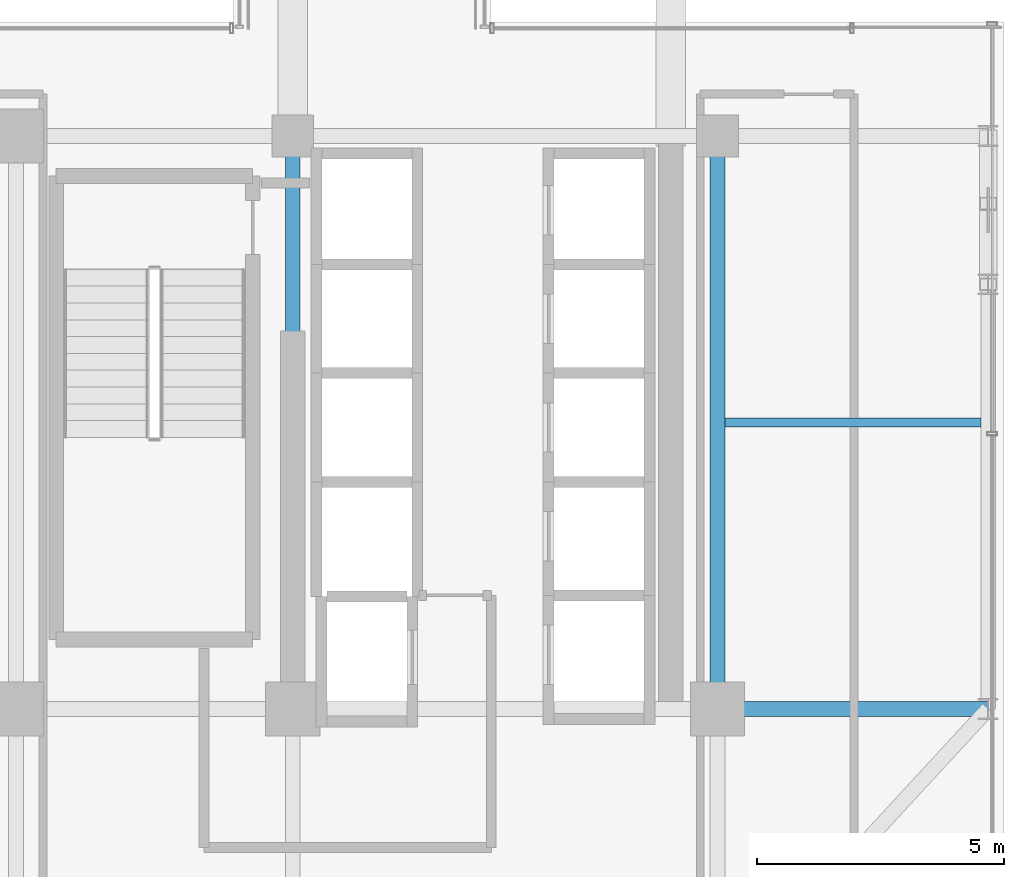
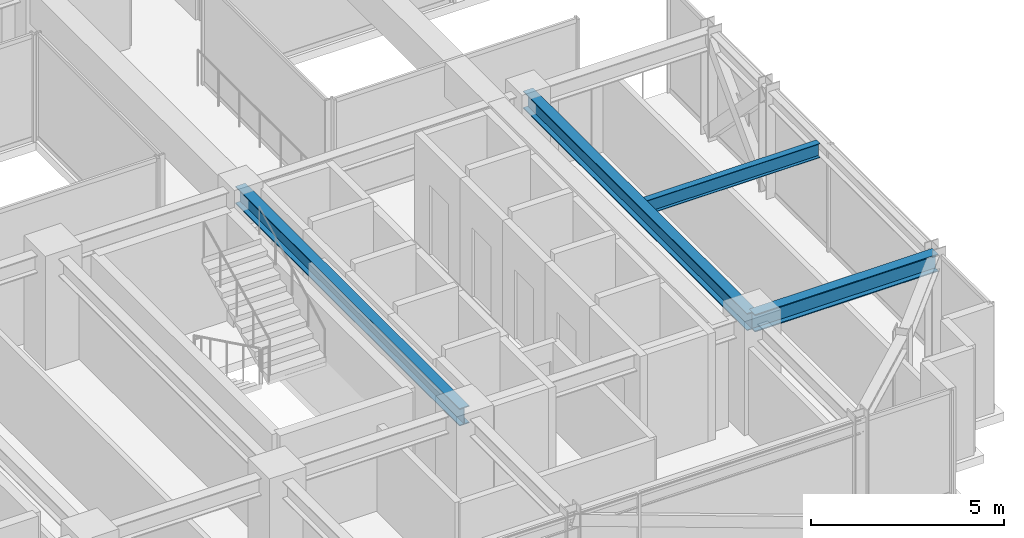
# One storey, part 13 of 36: 4 beams.
"""IFC4 building model written with IfcOpenShell, lengths in metres."""

import ifcopenshell
import ifcopenshell.guid

model = None  # the IFC model being written
_history = None  # IfcOwnerHistory: only IFC2X3 demands one
_inside = {}  # id of a spatial element -> (the spatial element, [elements in it])
_under = {}  # id of a project, library or spatial element -> (it, [spatial elements below it])
_declared = {}  # id of a project -> (the project, [libraries it declares])
_typed = {}  # id of a type object -> (the type object, [elements of that type])
_made_of = {}  # id of a material, layer set ... -> (it, [elements and type objects made of it])


def new_model(schema):
    """Start an empty IFC model of exactly this schema.

    Asked for "IFC4X3", IfcOpenShell would pick the latest addendum, in which some entities
    have other attributes; the version numbers below select the first issue.
    IFC2X3 requires an IfcOwnerHistory on every rooted entity: one is made here for all.
    """
    global model, _history
    if schema == "IFC4X3":
        model = ifcopenshell.file(schema_version=(4, 3, 0, 0))
    else:
        model = ifcopenshell.file(schema=schema)
    _inside.clear()
    _under.clear()
    _declared.clear()
    _typed.clear()
    _made_of.clear()
    _history = None
    if model.schema == "IFC2X3":
        org = make("IfcOrganization", Name="unknown")
        user = make(
            "IfcPersonAndOrganization",
            ThePerson=make("IfcPerson", FamilyName="unknown"),
            TheOrganization=org,
        )
        app = make(
            "IfcApplication",
            ApplicationDeveloper=org,
            Version="unknown",
            ApplicationFullName="unknown",
            ApplicationIdentifier="unknown",
        )
        _history = make(
            "IfcOwnerHistory",
            OwningUser=user,
            OwningApplication=app,
            ChangeAction="ADDED",
            CreationDate=0,
        )
    return model


def make(cls, **values):
    """One entity of the class cls with the attributes given. An attribute that is None is left unset."""
    return model.create_entity(
        cls, **{name: value for name, value in values.items() if value is not None}
    )


def rooted(cls, **values):
    """An entity with a GlobalId (a new one), such as an element, a storey or a relation."""
    return make(cls, GlobalId=ifcopenshell.guid.new(), OwnerHistory=_history, **values)


def si_unit(unit_type, name, prefix=None):
    """IfcSIUnit, for example si_unit("LENGTHUNIT", "METRE", prefix="MILLI")."""
    return make("IfcSIUnit", UnitType=unit_type, Prefix=prefix, Name=name)


def assignment(units):
    """IfcUnitAssignment: the units of a project."""
    return None if units is None else make("IfcUnitAssignment", Units=units)


def point(xyz):
    """IfcCartesianPoint."""
    return None if xyz is None else make("IfcCartesianPoint", Coordinates=xyz)


def direction(xyz):
    """IfcDirection."""
    return None if xyz is None else make("IfcDirection", DirectionRatios=xyz)


def frame(location, z_axis=None, x_axis=None):
    """IfcAxis2Placement3D, a coordinate frame: its origin and axes. An axis left out is left unset."""
    return make(
        "IfcAxis2Placement3D",
        Location=point(location),
        Axis=direction(z_axis),
        RefDirection=direction(x_axis),
    )


def frame_2d(location, x_axis=None):
    """IfcAxis2Placement2D, a coordinate frame in the plane: its origin and x axis."""
    return make(
        "IfcAxis2Placement2D", Location=point(location), RefDirection=direction(x_axis)
    )


def origin():
    """The frame at (0, 0, 0) with its axes left unset."""
    return frame((0.0, 0.0, 0.0))


def origin_2d():
    """The frame at (0, 0) in the plane with its x axis left unset."""
    return frame_2d((0.0, 0.0))


def place(relative_to, where):
    """IfcLocalPlacement: puts the frame where relative to a parent placement (None: the world)."""
    return make(
        "IfcLocalPlacement", PlacementRelTo=relative_to, RelativePlacement=where
    )


def context(
    kind, dimensions, precision=None, world=None, true_north=None, identifier=None
):
    """IfcGeometricRepresentationContext, for example the 3D "Model" context."""
    return make(
        "IfcGeometricRepresentationContext",
        ContextIdentifier=identifier,
        ContextType=kind,
        CoordinateSpaceDimension=dimensions,
        Precision=precision,
        WorldCoordinateSystem=world,
        TrueNorth=true_north,
    )


def subcontext(parent, identifier, kind, view, scale=None):
    """IfcGeometricRepresentationSubContext, for example "Body" below "Model"."""
    return make(
        "IfcGeometricRepresentationSubContext",
        ContextIdentifier=identifier,
        ContextType=kind,
        ParentContext=parent,
        TargetScale=scale,
        TargetView=view,
    )


def project(units=None, contexts=None):
    """IfcProject with its units and contexts."""
    return rooted(
        "IfcProject",
        Name="project",
        RepresentationContexts=contexts,
        UnitsInContext=assignment(units),
    )


def spatial(cls, under=None, at=None, **own):
    """A site, building, storey or space (cls), placed at a placement, below another one or the project."""
    s = rooted(cls, ObjectPlacement=at, **own)
    if under is not None:
        _under.setdefault(under.id(), (under, []))[1].append(s)
    return s


def profile(cls, at=None, kind="AREA", **sizes):
    """A parametric profile (cls). Its sizes go by their IFC names, for example OverallWidth=200.0."""
    return make(cls, ProfileType=kind, Position=at, **sizes)


def i_section(**sizes):
    """IfcIShapeProfileDef."""
    return profile("IfcIShapeProfileDef", **sizes)


def extrude(swept, where, along, depth):
    """IfcExtrudedAreaSolid: the profile swept, set in the frame where, extruded along a direction by depth."""
    return make(
        "IfcExtrudedAreaSolid",
        SweptArea=swept,
        Position=where,
        ExtrudedDirection=direction(along),
        Depth=depth,
    )


def shape(context_of_items, identifier, shape_type, items):
    """IfcShapeRepresentation: the items that make up one representation, for example the "Body"."""
    return make(
        "IfcShapeRepresentation",
        ContextOfItems=context_of_items,
        RepresentationIdentifier=identifier,
        RepresentationType=shape_type,
        Items=items,
    )


def source(mapping_origin, context_of_items, identifier, shape_type, items):
    """IfcRepresentationMap: a shape defined once, which mapped items show again and again."""
    return make(
        "IfcRepresentationMap",
        MappingOrigin=mapping_origin,
        MappedRepresentation=shape(context_of_items, identifier, shape_type, items),
    )


def transform(
    local_origin,
    x_axis=None,
    y_axis=None,
    z_axis=None,
    scale=None,
    scale2=None,
    scale3=None,
    uniform=True,
):
    """IfcCartesianTransformationOperator3D, or its non-uniform kind. x_axis, y_axis, z_axis: its Axis1, 2, 3."""
    if uniform:
        return make(
            "IfcCartesianTransformationOperator3D",
            Axis1=direction(x_axis),
            Axis2=direction(y_axis),
            LocalOrigin=point(local_origin),
            Scale=scale,
            Axis3=direction(z_axis),
        )
    return make(
        "IfcCartesianTransformationOperator3DnonUniform",
        Axis1=direction(x_axis),
        Axis2=direction(y_axis),
        LocalOrigin=point(local_origin),
        Scale=scale,
        Axis3=direction(z_axis),
        Scale2=scale2,
        Scale3=scale3,
    )


def mapped(mapping_source, mapping_target):
    """IfcMappedItem: shows the shape of a source again, moved by a transform."""
    return make(
        "IfcMappedItem", MappingSource=mapping_source, MappingTarget=mapping_target
    )


def material(Name=None, Category=None):
    """IfcMaterial."""
    return make("IfcMaterial", Name=Name, Category=Category)


def material_profile(
    of_material, cross_section, Name=None, Category=None, Priority=None
):
    """IfcMaterialProfile: a cross section and its material."""
    return make(
        "IfcMaterialProfile",
        Name=Name,
        Material=of_material,
        Profile=cross_section,
        Priority=Priority,
        Category=Category,
    )


def profile_set(profiles, Name=None, composite=None):
    """IfcMaterialProfileSet."""
    return make(
        "IfcMaterialProfileSet",
        Name=Name,
        MaterialProfiles=profiles,
        CompositeProfile=composite,
    )


def made_of(thing, what):
    """Note that an element or type object is made of a material, layer set ...; save() writes the relation."""
    if what is not None:
        _made_of.setdefault(what.id(), (what, []))[1].append(thing)
    return thing


def type_object(cls, material=None, **own):
    """A type object (cls), such as IfcWallType, which elements share."""
    return made_of(rooted(cls, **own), material)


def element(
    cls,
    number,
    at=None,
    inside=None,
    cuts=None,
    type_object=None,
    material=None,
    context=None,
    identifier="Body",
    shape_type=None,
    held_by="IfcProductDefinitionShape",
    body=None,
    shapes=None,
    **own,
):
    """One element of the class cls, such as IfcWall. Its Tag is "e" and its number.

    at: its placement. inside: the storey or other place that contains it. cuts: it is an
    opening in that element (IfcRelVoidsElement). A single representation is given by context,
    identifier, shape_type and body (its items); several are given by shapes. held_by: the class
    of the entity that holds the representations. save() writes the other relations.
    """
    e = rooted(cls, Tag="e%d" % number, ObjectPlacement=at, **own)
    if body is not None:
        shapes = [shape(context, identifier, shape_type, body)]
    if shapes is not None:
        e.Representation = make(held_by, Representations=shapes)
    if inside is not None:
        _inside.setdefault(inside.id(), (inside, []))[1].append(e)
    if cuts is not None:
        rooted(
            "IfcRelVoidsElement", RelatingBuildingElement=cuts, RelatedOpeningElement=e
        )
    if type_object is not None:
        _typed.setdefault(type_object.id(), (type_object, []))[1].append(e)
    return made_of(e, material)


def aggregate(whole, parts):
    """IfcRelAggregates: a whole, such as a stair, and the parts it consists of."""
    return rooted("IfcRelAggregates", RelatingObject=whole, RelatedObjects=parts)


def save(model, path):
    """Write the relations noted so far, then the file.

    IfcRelAggregates (storeys below a building ...), IfcRelContainedInSpatialStructure (elements
    in a storey), IfcRelDefinesByType, IfcRelAssociatesMaterial and IfcRelDeclares: one each for
    every whole, place, type object, material and project.
    """
    for whole, parts in _under.values():
        aggregate(whole, parts)
    for where, things in _inside.values():
        rooted(
            "IfcRelContainedInSpatialStructure",
            RelatedElements=things,
            RelatingStructure=where,
        )
    for kind, things in _typed.values():
        rooted("IfcRelDefinesByType", RelatedObjects=things, RelatingType=kind)
    for what, things in _made_of.values():
        rooted("IfcRelAssociatesMaterial", RelatedObjects=things, RelatingMaterial=what)
    for by, libraries in _declared.values():
        rooted("IfcRelDeclares", RelatingContext=by, RelatedDefinitions=libraries)
    model.write(path)


model = new_model("IFC4")

# Units and contexts
model_context = context("Model", 3, precision=1e-05, world=origin(), true_north=direction((0.0, 1.0)))
body_context = subcontext(model_context, "Body", "Model", "MODEL_VIEW")
ifc_project = project(units=[si_unit("LENGTHUNIT", "METRE"), si_unit("AREAUNIT", "SQUARE_METRE"), si_unit("VOLUMEUNIT", "CUBIC_METRE"), si_unit("PLANEANGLEUNIT", "RADIAN"), si_unit("MASSUNIT", "GRAM", prefix="KILO")], contexts=[model_context])

# Site, building, storey
site_placement = place(None, origin())
site = spatial("IfcSite", under=ifc_project, at=site_placement, CompositionType="ELEMENT")
building_placement = place(site_placement, origin())
building = spatial("IfcBuilding", under=site, at=building_placement, Name="Nahalor Promenade Grand Hotel", CompositionType="ELEMENT")
storey_placement = place(building_placement, frame((0.0, 0.0, 170.89990234375)))
storey = spatial("IfcBuildingStorey", under=building, at=storey_placement, Name="L43", CompositionType="ELEMENT", Elevation=170.89990234375)

# Beams
ifc_material = material(Name="Steel S355JR", Category="steel")
ifc_material_profile_1 = material_profile(ifc_material, i_section(OverallWidth=0.3, OverallDepth=0.55, WebThickness=0.015, FlangeThickness=0.029, at=origin_2d()), Name="HEB 550")
ifc_profile_set_1 = profile_set([ifc_material_profile_1], Name="Steel S355JR")
beam_type_1 = type_object("IfcBeamType", Name="Beam-Girder-HEB550", PredefinedType="BEAM", material=ifc_profile_set_1)
shared_shape_1 = source(origin(), body_context, "Body", "SweptSolid", [
    extrude(i_section(OverallWidth=0.3, OverallDepth=0.55, WebThickness=0.015, FlangeThickness=0.029, at=origin_2d()), origin(), (0.0, 0.0, 1.0), 11.60009765625),
])
for number, where, z_axis, x_axis, name in (
    (1, (8.39990234375, -17.0, 3.114990234375), (0.0, 1.0, 0.0), (-1.0, 0.0, 0.0), "BM-L43-GY-4-1"),
    (2, (17.0, -17.0, 3.114990234375), (0.0, 1.0, 0.0), (-1.0, 0.0, 0.0), "BM-L43-GY-5-1"),
):
    element("IfcBeam", number, at=place(storey_placement, frame(where, z_axis=z_axis, x_axis=x_axis)), inside=storey, type_object=beam_type_1, Name=name, PredefinedType="BEAM", context=body_context, shape_type="MappedRepresentation", body=[
        mapped(shared_shape_1, transform((0.0, 0.0, 0.0), scale=1.0)),
    ])
shared_shape_2 = source(origin(), body_context, "Body", "SweptSolid", [
    extrude(i_section(OverallWidth=0.3, OverallDepth=0.55, WebThickness=0.015, FlangeThickness=0.029, at=origin_2d()), origin(), (0.0, 0.0, 1.0), 5.47998046875),
])
beam_1_placement = place(storey_placement, frame((17.0, -17.0, 3.114990234375), z_axis=(1.0, 0.0, 0.0), x_axis=(0.0, 1.0, 0.0)))
element("IfcBeam", 3, at=beam_1_placement, inside=storey, type_object=beam_type_1, Name="BM-L43-GX-0-6", PredefinedType="BEAM", context=body_context, shape_type="MappedRepresentation", body=[
    mapped(shared_shape_2, transform((0.0, 0.0, 0.0), scale=1.0)),
])
ifc_material_profile_2 = material_profile(ifc_material, i_section(OverallWidth=0.19, OverallDepth=0.45, WebThickness=0.0094, FlangeThickness=0.0146, at=origin_2d()), Name="IPE 450")
ifc_profile_set_2 = profile_set([ifc_material_profile_2], Name="Steel S355JR")
beam_type_2 = type_object("IfcBeamType", Name="Beam-Joist-IPE450", PredefinedType="JOIST", material=ifc_profile_set_2)
shared_shape_3 = source(origin(), body_context, "Body", "SweptSolid", [
    extrude(i_section(OverallWidth=0.19, OverallDepth=0.45, WebThickness=0.0094, FlangeThickness=0.0146, at=origin_2d()), origin(), (0.0, 0.0, 1.0), 5.18017578125),
])
beam_2_placement = place(storey_placement, frame((17.14990234375, -11.199951171875, 3.1650390625), z_axis=(1.0, 0.0, 0.0), x_axis=(0.0, 1.0, 0.0)))
element("IfcBeam", 4, at=beam_2_placement, inside=storey, type_object=beam_type_2, Name="BM-L43-JSE-0-2", PredefinedType="JOIST", context=body_context, shape_type="MappedRepresentation", body=[
    mapped(shared_shape_3, transform((0.0, 0.0, 0.0), scale=1.0)),
])

save(model, "model.ifc")
